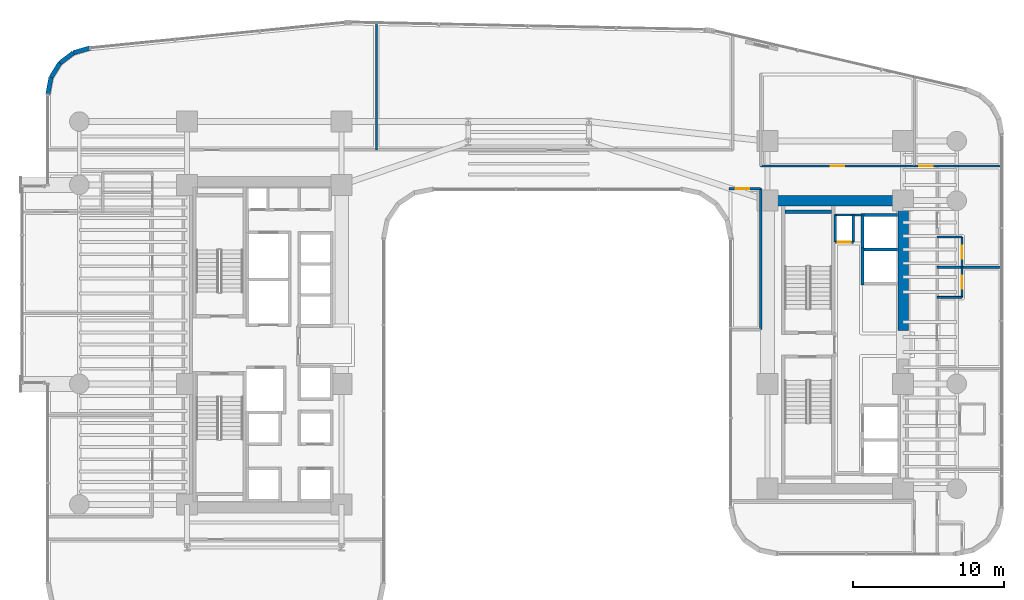
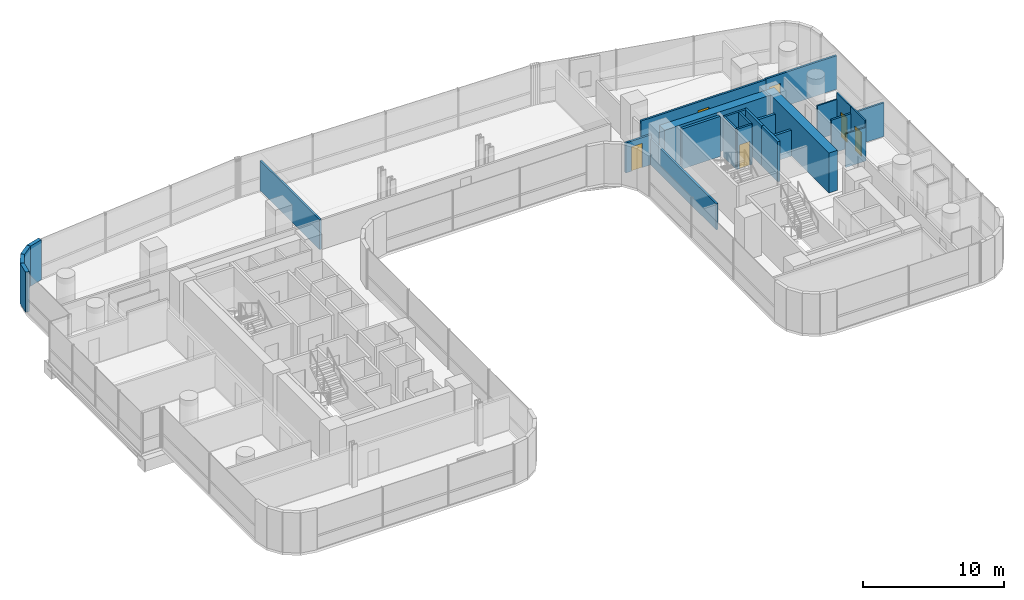
# One storey, part 32 of 39: 25 walls, 6 doors, 6 openings.
"""IFC4 building model written with IfcOpenShell, lengths in metres."""

from ifc_helpers import new_model, si_unit, direction, frame, frame_2d, origin, place, context, subcontext, project, spatial, rectangle, extrude, material, layer, layer_set, type_object, element, fill, save


model = new_model("IFC4")

# Units and contexts
model_context = context("Model", 3, precision=1e-05, world=origin(), true_north=direction((0.0, 1.0)))
body_context = subcontext(model_context, "Body", "Model", "MODEL_VIEW")
ifc_project = project(units=[si_unit("LENGTHUNIT", "METRE"), si_unit("AREAUNIT", "SQUARE_METRE"), si_unit("VOLUMEUNIT", "CUBIC_METRE"), si_unit("PLANEANGLEUNIT", "RADIAN"), si_unit("MASSUNIT", "GRAM", prefix="KILO")], contexts=[model_context])

# Site, building, storey
site_placement = place(None, origin())
site = spatial("IfcSite", under=ifc_project, at=site_placement, CompositionType="ELEMENT")
building_placement = place(site_placement, origin())
building = spatial("IfcBuilding", under=site, at=building_placement, Name="Valdorenza Pilgrim Sanctuary Tower", CompositionType="ELEMENT")
storey_placement = place(building_placement, frame((0.0, 0.0, 70.39990234375)))
storey = spatial("IfcBuildingStorey", under=building, at=storey_placement, Name="L17", CompositionType="ELEMENT", Elevation=70.39990234375)

# Wall, opening, door
ifc_material_1 = material(Name="Acoustic twin-stud gypsum partition", Category="gypsum")
ifc_layer_1 = layer(ifc_material_1, 0.159912109375, Name="Acoustic twin-stud gypsum partition")
ifc_layer_set_1 = layer_set([ifc_layer_1], Name="Acoustic twin-stud gypsum partition")
wall_type_1 = type_object("IfcWallType", Name="WAL-COR-160", PredefinedType="PARTITIONING", material=ifc_layer_set_1)
wall_1_placement = place(storey_placement, frame((20.35009765625, 6.800048828125, 0.0), z_axis=(0.0, 0.0, 1.0), x_axis=(1.0, 0.0, 0.0)))
wall_1 = element("IfcWall", 1, at=wall_1_placement, inside=storey, type_object=wall_type_1, Name="L17 Core B Riser South Wall", PredefinedType="PARTITIONING", context=body_context, shape_type="SweptSolid", body=[
    extrude(rectangle(XDim=1.199951171875, YDim=0.159912109375, at=frame_2d((0.60009765625, 0.0))), origin(), (0.0, 0.0, 1.0), 3.460205078125),
])
opening_1_placement = place(wall_1_placement, frame((0.175048828125, 0.0, 0.0)))
opening_1 = element("IfcOpeningElement", 2, at=opening_1_placement, cuts=wall_1, Name="Opening DR-RS1", PredefinedType="OPENING", context=body_context, shape_type="SweptSolid", body=[
    extrude(rectangle(XDim=0.85009765625, YDim=2.050048828125, at=frame_2d((0.425048828125, 1.02490234375))), frame((0.0, 0.0947265625, 0.0), z_axis=(0.0, -1.0, 0.0), x_axis=(1.0, 0.0, 0.0)), (0.0, 0.0, 1.0), 0.189697265625),
])
ifc_material_2 = material(Name="Painted galvanized steel", Category="steel")
door_type_1 = type_object("IfcDoorType", Name="DR-RSR-850", OperationType="NOTDEFINED", PredefinedType="DOOR", material=ifc_material_2)
door_1_placement = place(opening_1_placement, origin())
door_1 = element("IfcDoor", 3, at=door_1_placement, inside=storey, type_object=door_type_1, Name="L17 Core B Electrical Riser Door", OperationType="SINGLE_SWING_LEFT", OverallHeight=2.050048828125, OverallWidth=0.85009765625, PredefinedType="DOOR", context=body_context, shape_type="SweptSolid", body=[
    extrude(rectangle(XDim=0.85009765625, YDim=2.050048828125, at=frame_2d((0.425048828125, 1.02490234375))), frame((0.0, 0.02490234375, 0.0), z_axis=(0.0, -1.0, 0.0), x_axis=(1.0, 0.0, 0.0)), (0.0, 0.0, 1.0), 0.050048828125),
])
fill(opening_1, door_1)

# Walls
for number, where, z_axis, x_axis, name in (
    (4, (21.550048828125, 6.800048828125, 0.0), (0.0, 0.0, 1.0), (0.0, 1.0, 0.0), "L17 Core B Riser East Wall"),
    (5, (20.35009765625, 6.800048828125, 0.0), (0.0, 0.0, 1.0), (0.0, 1.0, 0.0), "L17 Core B Riser West Wall"),
):
    element("IfcWall", number, at=place(storey_placement, frame(where, z_axis=z_axis, x_axis=x_axis)), inside=storey, type_object=wall_type_1, Name=name, PredefinedType="PARTITIONING", context=body_context, shape_type="SweptSolid", body=[
        extrude(rectangle(XDim=1.800048828125, YDim=0.159912109375, at=frame_2d((0.89990234375, 0.0))), origin(), (0.0, 0.0, 1.0), 3.460205078125),
    ])
wall_2_placement = place(storey_placement, frame((20.300048828125, 8.60009765625, 0.0), z_axis=(0.0, 0.0, 1.0), x_axis=(1.0, 0.0, 0.0)))
element("IfcWall", 6, at=wall_2_placement, inside=storey, type_object=wall_type_1, Name="L17 Core B Lift Hall North End Wall", PredefinedType="PARTITIONING", context=body_context, shape_type="SweptSolid", body=[
    extrude(rectangle(XDim=1.820068359375, YDim=0.159912109375, at=frame_2d((0.91015625, 0.0))), origin(), (0.0, 0.0, 1.0), 3.460205078125),
])

# Wall, opening, door
wall_3_placement = place(storey_placement, frame((15.39990234375, 11.85009765625, 0.0), z_axis=(0.0, 0.0, 1.0), x_axis=(1.0, 0.0, 0.0)))
wall_3 = element("IfcWall", 7, at=wall_3_placement, inside=storey, type_object=wall_type_1, Name="L17 Wing B North Corridor Wall", PredefinedType="PARTITIONING", context=body_context, shape_type="SweptSolid", body=[
    extrude(rectangle(XDim=10.2001953125, YDim=0.159912109375, at=frame_2d((5.10009765625, 0.0))), origin(), (0.0, 0.0, 1.0), 2.833984375),
])
opening_2_placement = place(wall_3_placement, frame((4.64990234375, 0.0, 0.0)))
opening_2 = element("IfcOpeningElement", 8, at=opening_2_placement, cuts=wall_3, Name="Opening DR-RM1", PredefinedType="OPENING", context=body_context, shape_type="SweptSolid", body=[
    extrude(rectangle(XDim=0.89990234375, YDim=2.10009765625, at=frame_2d((0.449951171875, 1.050048828125))), frame((0.0, 0.0947265625, 0.0), z_axis=(0.0, -1.0, 0.0), x_axis=(1.0, 0.0, 0.0)), (0.0, 0.0, 1.0), 0.189697265625),
])
ifc_material_3 = material(Name="Solid-core European oak timber", Category="wood")
door_type_2 = type_object("IfcDoorType", Name="DR-ROOM-900", OperationType="NOTDEFINED", PredefinedType="DOOR", material=ifc_material_3)
door_2_placement = place(opening_2_placement, frame((0.89990234375, 0.0, 0.0), z_axis=(0.0, 0.0, 1.0), x_axis=(-1.0, 0.0, 0.0)))
door_2 = element("IfcDoor", 9, at=door_2_placement, inside=storey, type_object=door_type_2, Name="L17 Curator Research Office L17-BN1 Door", OperationType="SINGLE_SWING_LEFT", OverallHeight=2.10009765625, OverallWidth=0.89990234375, PredefinedType="DOOR", context=body_context, shape_type="SweptSolid", body=[
    extrude(rectangle(XDim=0.89990234375, YDim=2.10009765625, at=frame_2d((0.449951171875, 1.050048828125))), frame((0.0, 0.02490234375, 0.0), z_axis=(0.0, -1.0, 0.0), x_axis=(1.0, 0.0, 0.0)), (0.0, 0.0, 1.0), 0.050048828125),
])
fill(opening_2, door_2)

wall_4_placement = place(storey_placement, frame((25.60009765625, 11.85009765625, 0.0), z_axis=(0.0, 0.0, 1.0), x_axis=(1.0, 0.0, 0.0)))
wall_4 = element("IfcWall", 10, at=wall_4_placement, inside=storey, type_object=wall_type_1, Name="L17 East Wing NE Corner South Wall", PredefinedType="PARTITIONING", context=body_context, shape_type="SweptSolid", body=[
    extrude(rectangle(XDim=5.789794921875, YDim=0.159912109375, at=frame_2d((2.89501953125, 0.0))), origin(), (0.0, 0.0, 1.0), 2.89599609375),
])
opening_3_placement = place(wall_4_placement, frame((0.300048828125, 0.0, 0.0)))
opening_3 = element("IfcOpeningElement", 11, at=opening_3_placement, cuts=wall_4, Name="Opening DR-RM1", PredefinedType="OPENING", context=body_context, shape_type="SweptSolid", body=[
    extrude(rectangle(XDim=0.89990234375, YDim=2.10009765625, at=frame_2d((0.449951171875, 1.050048828125))), frame((0.0, 0.0947265625, 0.0), z_axis=(0.0, -1.0, 0.0), x_axis=(1.0, 0.0, 0.0)), (0.0, 0.0, 1.0), 0.189697265625),
])
door_3_placement = place(opening_3_placement, origin())
door_3 = element("IfcDoor", 12, at=door_3_placement, inside=storey, type_object=door_type_2, Name="L17 East North Alcove Office L17 Door", OperationType="SINGLE_SWING_LEFT", OverallHeight=2.10009765625, OverallWidth=0.89990234375, PredefinedType="DOOR", context=body_context, shape_type="SweptSolid", body=[
    extrude(rectangle(XDim=0.89990234375, YDim=2.10009765625, at=frame_2d((0.449951171875, 1.050048828125))), frame((0.0, 0.02490234375, 0.0), z_axis=(0.0, -1.0, 0.0), x_axis=(1.0, 0.0, 0.0)), (0.0, 0.0, 1.0), 0.050048828125),
])
fill(opening_3, door_3)

wall_5_placement = place(storey_placement, frame((13.300048828125, 10.35009765625, 0.0), z_axis=(0.0, 0.0, 1.0), x_axis=(1.0, 0.0, 0.0)))
wall_5 = element("IfcWall", 13, at=wall_5_placement, inside=storey, type_object=wall_type_1, Name="L17 Courtyard Overlook North Wall", PredefinedType="PARTITIONING", context=body_context, shape_type="SweptSolid", body=[
    extrude(rectangle(XDim=2.099853515625, YDim=0.159912109375, at=frame_2d((1.0498046875, 0.0))), origin(), (0.0, 0.0, 1.0), 2.5830078125),
])
opening_4_placement = place(wall_5_placement, frame((0.449951171875, 0.0, 0.0)))
opening_4 = element("IfcOpeningElement", 14, at=opening_4_placement, cuts=wall_5, Name="Opening DR-RM1", PredefinedType="OPENING", context=body_context, shape_type="SweptSolid", body=[
    extrude(rectangle(XDim=0.89990234375, YDim=2.10009765625, at=frame_2d((0.449951171875, 1.050048828125))), frame((0.0, 0.0947265625, 0.0), z_axis=(0.0, -1.0, 0.0), x_axis=(1.0, 0.0, 0.0)), (0.0, 0.0, 1.0), 0.189697265625),
])
door_4_placement = place(opening_4_placement, origin())
door_4 = element("IfcDoor", 15, at=door_4_placement, inside=storey, type_object=door_type_2, Name="L17 Courtyard Overlook Salon Door", OperationType="SINGLE_SWING_RIGHT", OverallHeight=2.10009765625, OverallWidth=0.89990234375, PredefinedType="DOOR", context=body_context, shape_type="SweptSolid", body=[
    extrude(rectangle(XDim=0.89990234375, YDim=2.10009765625, at=frame_2d((0.449951171875, 1.050048828125))), frame((0.0, 0.02490234375, 0.0), z_axis=(0.0, -1.0, 0.0), x_axis=(1.0, 0.0, 0.0)), (0.0, 0.0, 1.0), 0.050048828125),
])
fill(opening_4, door_4)

# Walls
wall_6_placement = place(storey_placement, frame((15.39990234375, 1.0, 0.0), z_axis=(0.0, 0.0, 1.0), x_axis=(0.0, 1.0, 0.0)))
element("IfcWall", 16, at=wall_6_placement, inside=storey, type_object=wall_type_1, Name="L17 Courtyard Overlook East Wall", PredefinedType="PARTITIONING", context=body_context, shape_type="SweptSolid", body=[
    extrude(rectangle(XDim=9.35009765625, YDim=0.159912109375, at=frame_2d((4.675048828125, 0.0))), origin(), (0.0, 0.0, 1.0), 2.2451171875),
])
ifc_material_4 = material(Name="Concrete C60/75", Category="concrete")
ifc_layer_2 = layer(ifc_material_4, 0.699951171875, Name="Concrete C60/75")
ifc_layer_set_2 = layer_set([ifc_layer_2], Name="Concrete C60/75")
wall_type_2 = type_object("IfcWallType", Name="WAL-COR-700", PredefinedType="SHEAR", material=ifc_layer_set_2)
wall_7_placement = place(storey_placement, frame((24.85009765625, 0.949951171875, 0.0), z_axis=(0.0, 0.0, 1.0), x_axis=(0.0, 1.0, 0.0)))
element("IfcWall", 17, at=wall_7_placement, inside=storey, type_object=wall_type_2, Name="L17 Split Core B Shear Wall EN", PredefinedType="SHEAR", context=body_context, shape_type="SweptSolid", body=[
    extrude(rectangle(XDim=8.949951171875, YDim=0.699951171875, at=frame_2d((4.47509765625, 0.0))), origin(), (0.0, 0.0, 1.0), 3.460205078125),
])
wall_8_placement = place(storey_placement, frame((15.85009765625, 9.550048828125, 0.0), z_axis=(0.0, 0.0, 1.0), x_axis=(1.0, 0.0, 0.0)))
element("IfcWall", 18, at=wall_8_placement, inside=storey, type_object=wall_type_2, Name="L17 Split Core B Shear Wall N", PredefinedType="SHEAR", context=body_context, shape_type="SweptSolid", body=[
    extrude(rectangle(XDim=9.0, YDim=0.699951171875, at=frame_2d((4.5, 0.0))), origin(), (0.0, 0.0, 1.0), 3.460205078125),
])
ifc_material_5 = material(Name="Honed travertine limestone", Category="masonry")
ifc_layer_3 = layer(ifc_material_5, 0.300048828125, Name="Honed travertine limestone")
ifc_layer_set_3 = layer_set([ifc_layer_3], Name="Honed travertine limestone")
wall_type_3 = type_object("IfcWallType", Name="WAL-EXT-300", PredefinedType="SOLIDWALL", material=ifc_layer_set_3)
wall_9_placement = place(storey_placement, frame((-31.889892578125, 16.593994140625, 0.0), z_axis=(0.0, 0.0, 1.0), x_axis=(0.182748995683, 0.9831596028, 0.0)))
element("IfcWall", 19, at=wall_9_placement, inside=storey, type_object=wall_type_3, Name="L17 Rounded Wind-Corner Stone Pier 2", PredefinedType="SOLIDWALL", context=body_context, shape_type="SweptSolid", body=[
    extrude(rectangle(XDim=1.1396484375, YDim=0.300048828125, at=frame_2d((0.56982421875, 0.0))), origin(), (0.0, 0.0, 1.0), 3.460205078125),
])
wall_10_placement = place(storey_placement, frame((-31.681640625, 17.71435546875, 0.0), z_axis=(0.0, 0.0, 1.0), x_axis=(0.524157723014, 0.8516212077, 0.0)))
element("IfcWall", 20, at=wall_10_placement, inside=storey, type_object=wall_type_3, Name="L17 Rounded Wind-Corner Stone Pier 3", PredefinedType="SOLIDWALL", context=body_context, shape_type="SweptSolid", body=[
    extrude(rectangle(XDim=1.12939453125, YDim=0.300048828125, at=frame_2d((0.564697265625, 0.0))), origin(), (0.0, 0.0, 1.0), 3.460205078125),
])
wall_11_placement = place(storey_placement, frame((-31.089599609375, 18.67626953125, 0.0), z_axis=(0.0, 0.0, 1.0), x_axis=(0.795253002434, 0.606277710393, 0.0)))
element("IfcWall", 21, at=wall_11_placement, inside=storey, type_object=wall_type_3, Name="L17 Rounded Wind-Corner Stone Pier 4", PredefinedType="SOLIDWALL", context=body_context, shape_type="SweptSolid", body=[
    extrude(rectangle(XDim=1.129150390625, YDim=0.300048828125, at=frame_2d((0.564453125, 0.0))), origin(), (0.0, 0.0, 1.0), 3.460205078125),
])
wall_12_placement = place(storey_placement, frame((-30.191650390625, 19.36083984375, 0.0), z_axis=(0.0, 0.0, 1.0), x_axis=(0.960071941549, 0.279753225271, 0.0)))
element("IfcWall", 22, at=wall_12_placement, inside=storey, type_object=wall_type_3, Name="L17 Rounded Wind-Corner Stone Pier 5", PredefinedType="SOLIDWALL", context=body_context, shape_type="SweptSolid", body=[
    extrude(rectangle(XDim=1.1396484375, YDim=0.300048828125, at=frame_2d((0.56982421875, 0.0))), origin(), (0.0, 0.0, 1.0), 3.460205078125),
])
ifc_material_6 = material(Name="Moisture-resistant gypsum partition", Category="gypsum")
ifc_layer_4 = layer(ifc_material_6, 0.1201171875, Name="Moisture-resistant gypsum partition")
ifc_layer_set_4 = layer_set([ifc_layer_4], Name="Moisture-resistant gypsum partition")
wall_type_4 = type_object("IfcWallType", Name="WAL-INT-120", PredefinedType="PARTITIONING", material=ifc_layer_set_4)
wall_13_placement = place(storey_placement, frame((27.10009765625, 3.137939453125, 0.0), z_axis=(0.0, 0.0, 1.0), x_axis=(1.0, 0.0, 0.0)))
element("IfcWall", 23, at=wall_13_placement, inside=storey, type_object=wall_type_4, Name="L17 East Sanctuary Guest Room L17-EG3 En-suite South Wall", PredefinedType="PARTITIONING", context=body_context, shape_type="SweptSolid", body=[
    extrude(rectangle(XDim=1.64990234375, YDim=0.1201171875, at=frame_2d((0.824951171875, 0.0))), origin(), (0.0, 0.0, 1.0), 2.89599609375),
])

# Wall, opening, door
wall_14_placement = place(storey_placement, frame((28.75, 3.137939453125, 0.0), z_axis=(0.0, 0.0, 1.0), x_axis=(0.0, 1.0, 0.0)))
wall_14 = element("IfcWall", 24, at=wall_14_placement, inside=storey, type_object=wall_type_4, Name="L17 East Sanctuary Guest Room L17-EG3 En-suite Door Wall", PredefinedType="PARTITIONING", context=body_context, shape_type="SweptSolid", body=[
    extrude(rectangle(XDim=2.0, YDim=0.1201171875, at=frame_2d((1.0, 0.0))), origin(), (0.0, 0.0, 1.0), 3.460205078125),
])
opening_5_placement = place(wall_14_placement, frame((0.574951171875, 0.0, 0.0)))
opening_5 = element("IfcOpeningElement", 25, at=opening_5_placement, cuts=wall_14, Name="Opening DR-WC1", PredefinedType="OPENING", context=body_context, shape_type="SweptSolid", body=[
    extrude(rectangle(XDim=0.85009765625, YDim=2.10009765625, at=frame_2d((0.425048828125, 1.050048828125))), frame((0.0, 0.074951171875, 0.0), z_axis=(0.0, -1.0, 0.0), x_axis=(1.0, 0.0, 0.0)), (0.0, 0.0, 1.0), 0.14990234375),
])
ifc_material_7 = material(Name="Moisture-resistant lacquered timber", Category="wood")
door_type_3 = type_object("IfcDoorType", Name="DR-BATH-850", OperationType="NOTDEFINED", PredefinedType="DOOR", material=ifc_material_7)
door_5_placement = place(opening_5_placement, origin())
door_5 = element("IfcDoor", 26, at=door_5_placement, inside=storey, type_object=door_type_3, Name="L17 East Sanctuary Guest Room L17-EG3 En-suite Bathroom Door", OperationType="SINGLE_SWING_LEFT", OverallHeight=2.10009765625, OverallWidth=0.85009765625, PredefinedType="DOOR", context=body_context, shape_type="SweptSolid", body=[
    extrude(rectangle(XDim=0.85009765625, YDim=2.10009765625, at=frame_2d((0.425048828125, 1.050048828125))), frame((0.0, 0.02490234375, 0.0), z_axis=(0.0, -1.0, 0.0), x_axis=(1.0, 0.0, 0.0)), (0.0, 0.0, 1.0), 0.050048828125),
])
fill(opening_5, door_5)

# Wall
wall_15_placement = place(storey_placement, frame((27.10009765625, 7.137939453125, 0.0), z_axis=(0.0, 0.0, 1.0), x_axis=(1.0, 0.0, 0.0)))
element("IfcWall", 27, at=wall_15_placement, inside=storey, type_object=wall_type_4, Name="L17 East Sanctuary Guest Room L17-EG4 En-suite North Wall", PredefinedType="PARTITIONING", context=body_context, shape_type="SweptSolid", body=[
    extrude(rectangle(XDim=1.64990234375, YDim=0.1201171875, at=frame_2d((0.824951171875, 0.0))), origin(), (0.0, 0.0, 1.0), 2.89599609375),
])

# Wall, opening, door
wall_16_placement = place(storey_placement, frame((28.75, 5.137939453125, 0.0), z_axis=(0.0, 0.0, 1.0), x_axis=(0.0, 1.0, 0.0)))
wall_16 = element("IfcWall", 28, at=wall_16_placement, inside=storey, type_object=wall_type_4, Name="L17 East Sanctuary Guest Room L17-EG4 En-suite Door Wall", PredefinedType="PARTITIONING", context=body_context, shape_type="SweptSolid", body=[
    extrude(rectangle(XDim=2.0, YDim=0.1201171875, at=frame_2d((1.0, 0.0))), origin(), (0.0, 0.0, 1.0), 3.460205078125),
])
opening_6_placement = place(wall_16_placement, frame((0.574951171875, 0.0, 0.0)))
opening_6 = element("IfcOpeningElement", 29, at=opening_6_placement, cuts=wall_16, Name="Opening DR-WC1", PredefinedType="OPENING", context=body_context, shape_type="SweptSolid", body=[
    extrude(rectangle(XDim=0.85009765625, YDim=2.10009765625, at=frame_2d((0.425048828125, 1.050048828125))), frame((0.0, 0.074951171875, 0.0), z_axis=(0.0, -1.0, 0.0), x_axis=(1.0, 0.0, 0.0)), (0.0, 0.0, 1.0), 0.14990234375),
])
door_6_placement = place(opening_6_placement, origin())
door_6 = element("IfcDoor", 30, at=door_6_placement, inside=storey, type_object=door_type_3, Name="L17 East Sanctuary Guest Room L17-EG4 En-suite Bathroom Door", OperationType="SINGLE_SWING_LEFT", OverallHeight=2.10009765625, OverallWidth=0.85009765625, PredefinedType="DOOR", context=body_context, shape_type="SweptSolid", body=[
    extrude(rectangle(XDim=0.85009765625, YDim=2.10009765625, at=frame_2d((0.425048828125, 1.050048828125))), frame((0.0, 0.02490234375, 0.0), z_axis=(0.0, -1.0, 0.0), x_axis=(1.0, 0.0, 0.0)), (0.0, 0.0, 1.0), 0.050048828125),
])
fill(opening_6, door_6)

# Walls
ifc_material_8 = material(Name="Autoclaved aerated concrete blockwork", Category="masonry")
ifc_layer_5 = layer(ifc_material_8, 0.199951171875, Name="Autoclaved aerated concrete blockwork")
ifc_layer_set_5 = layer_set([ifc_layer_5], Name="Autoclaved aerated concrete blockwork")
wall_type_5 = type_object("IfcWallType", Name="WAL-SHF-200", PredefinedType="MOVABLE", material=ifc_layer_set_5)
wall_17_placement = place(storey_placement, frame((22.14990234375, 3.949951171875, 0.0), z_axis=(0.0, 0.0, 1.0), x_axis=(0.0, 1.0, 0.0)))
element("IfcWall", 31, at=wall_17_placement, inside=storey, type_object=wall_type_5, Name="L17 Lift PL-07 Hoistway Wall West", PredefinedType="MOVABLE", context=body_context, shape_type="SweptSolid", body=[
    extrude(rectangle(XDim=2.47509765625, YDim=0.199951171875, at=frame_2d((1.237548828125, 0.0))), origin(), (0.0, 0.0, 1.0), 3.460205078125),
])
wall_18_placement = place(storey_placement, frame((22.25, 6.324951171875, 0.0), z_axis=(0.0, 0.0, 1.0), x_axis=(1.0, 0.0, 0.0)))
element("IfcWall", 32, at=wall_18_placement, inside=storey, type_object=wall_type_5, Name="L17 Lift PL-07 Hoistway Wall North", PredefinedType="MOVABLE", context=body_context, shape_type="SweptSolid", body=[
    extrude(rectangle(XDim=2.22998046875, YDim=0.199951171875, at=frame_2d((1.114990234375, 0.0))), origin(), (0.0, 0.0, 1.0), 2.2451171875),
])
wall_19_placement = place(storey_placement, frame((22.14990234375, 6.22509765625, 0.0), z_axis=(0.0, 0.0, 1.0), x_axis=(0.0, 1.0, 0.0)))
element("IfcWall", 33, at=wall_19_placement, inside=storey, type_object=wall_type_5, Name="L17 Lift PL-08 Hoistway Wall West", PredefinedType="MOVABLE", context=body_context, shape_type="SweptSolid", body=[
    extrude(rectangle(XDim=2.474853515625, YDim=0.199951171875, at=frame_2d((1.2373046875, 0.0))), origin(), (0.0, 0.0, 1.0), 3.460205078125),
])
wall_20_placement = place(storey_placement, frame((22.25, 8.60009765625, 0.0), z_axis=(0.0, 0.0, 1.0), x_axis=(1.0, 0.0, 0.0)))
element("IfcWall", 34, at=wall_20_placement, inside=storey, type_object=wall_type_5, Name="L17 Lift PL-08 Hoistway Wall North", PredefinedType="MOVABLE", context=body_context, shape_type="SweptSolid", body=[
    extrude(rectangle(XDim=2.22998046875, YDim=0.199951171875, at=frame_2d((1.114990234375, 0.0))), origin(), (0.0, 0.0, 1.0), 2.2451171875),
])
ifc_material_9 = material(Name="Concrete C40/50", Category="concrete")
ifc_layer_6 = layer(ifc_material_9, 0.219970703125, Name="Concrete C40/50")
ifc_layer_set_6 = layer_set([ifc_layer_6], Name="Concrete C40/50")
wall_type_6 = type_object("IfcWallType", Name="WAL-STR-SHF-220", PredefinedType="SHEAR", material=ifc_layer_set_6)
wall_21_placement = place(storey_placement, frame((17.0, 8.81005859375, 0.0), z_axis=(0.0, 0.0, 1.0), x_axis=(1.0, 0.0, 0.0)))
element("IfcWall", 35, at=wall_21_placement, inside=storey, type_object=wall_type_6, Name="L17 ST-B1 Structural Stairwell Wall N", PredefinedType="SHEAR", context=body_context, shape_type="SweptSolid", body=[
    extrude(rectangle(XDim=3.110107421875, YDim=0.219970703125, at=frame_2d((1.55517578125, 0.0))), origin(), (0.0, 0.0, 1.0), 3.460205078125),
])
ifc_layer_7 = layer(ifc_material_1, 0.14990234375, Name="Acoustic twin-stud gypsum partition")
ifc_layer_set_7 = layer_set([ifc_layer_7], Name="Acoustic twin-stud gypsum partition")
wall_type_7 = type_object("IfcWallType", Name="WAL-UNT-150", PredefinedType="PARTITIONING", material=ifc_layer_set_7)
wall_22_placement = place(storey_placement, frame((-10.094970703125, 12.919921875, 0.0), z_axis=(0.0, 0.0, 1.0), x_axis=(0.0, 1.0, 0.0)))
element("IfcWall", 36, at=wall_22_placement, inside=storey, type_object=wall_type_7, Name="L17 Private Banquet Dining Room L17-N2 Demising Wall", PredefinedType="PARTITIONING", context=body_context, shape_type="SweptSolid", body=[
    extrude(rectangle(XDim=8.430419921875, YDim=0.14990234375, at=frame_2d((4.21533203125, 0.0))), origin(), (0.0, 0.0, 1.0), 2.5830078125),
])
wall_23_placement = place(storey_placement, frame((27.10009765625, 5.137939453125, 0.0), z_axis=(0.0, 0.0, 1.0), x_axis=(1.0, 0.0, 0.0)))
element("IfcWall", 37, at=wall_23_placement, inside=storey, type_object=wall_type_7, Name="L17 East Wing Guest Demising 3", PredefinedType="PARTITIONING", context=body_context, shape_type="SweptSolid", body=[
    extrude(rectangle(XDim=4.289794921875, YDim=0.14990234375, at=frame_2d((2.14501953125, 0.0))), origin(), (0.0, 0.0, 1.0), 2.89599609375),
])

save(model, "model.ifc")
